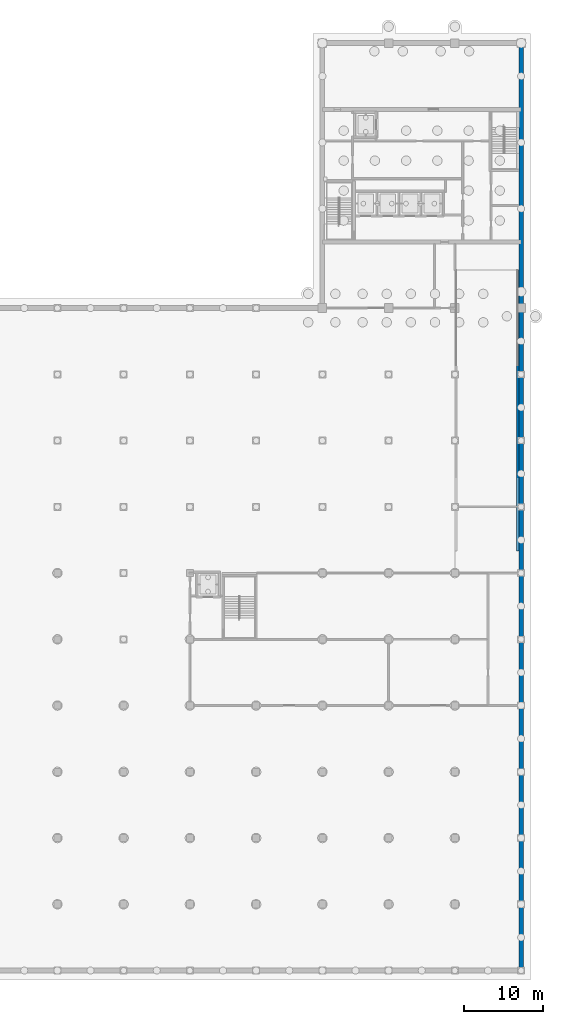
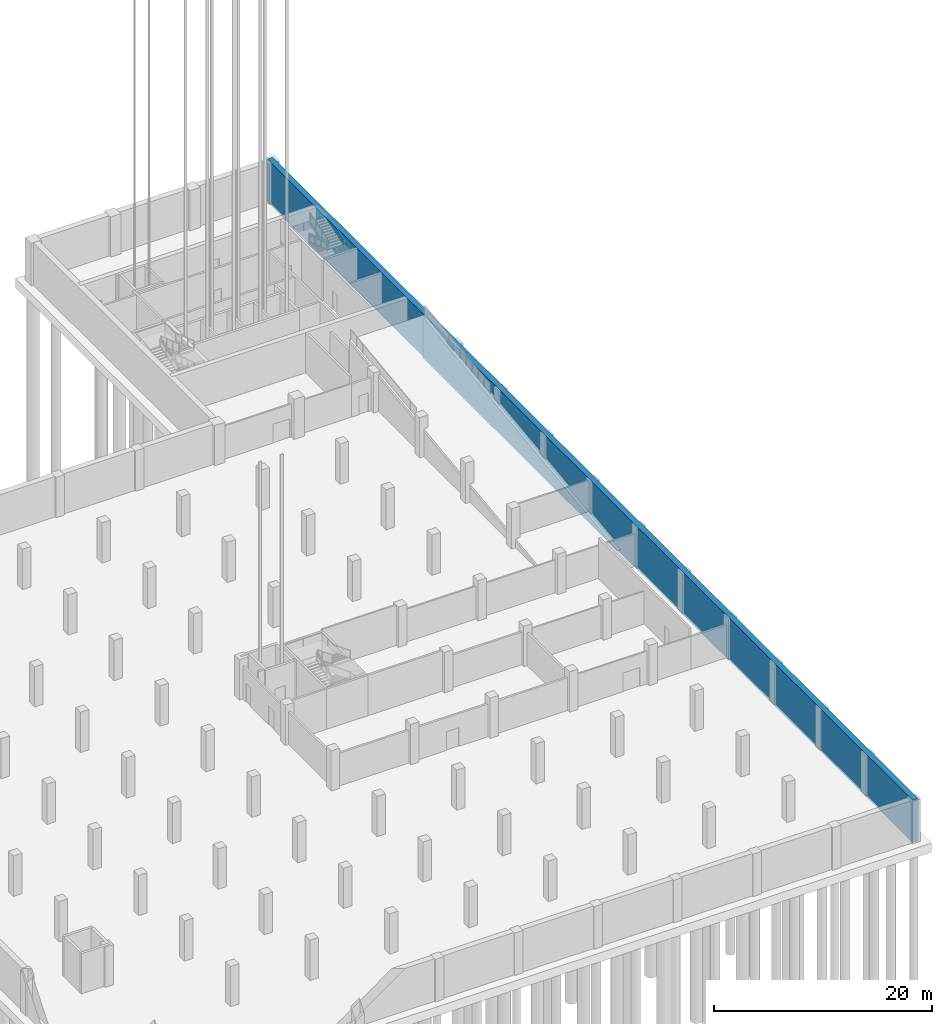
# One storey, part 9 of 26: 2 walls.
"""IFC4 building model written with IfcOpenShell, lengths in metres."""

from ifc_helpers import new_model, si_unit, direction, frame, frame_2d, origin, place, context, subcontext, project, spatial, polyline, rectangle, outline, extrude, material, layer, layer_set, type_object, element, save


model = new_model("IFC4")

# Units and contexts
model_context = context("Model", 3, precision=1e-05, world=origin(), true_north=direction((0.0, 1.0)))
body_context = subcontext(model_context, "Body", "Model", "MODEL_VIEW")
ifc_project = project(units=[si_unit("LENGTHUNIT", "METRE"), si_unit("AREAUNIT", "SQUARE_METRE"), si_unit("VOLUMEUNIT", "CUBIC_METRE"), si_unit("PLANEANGLEUNIT", "RADIAN"), si_unit("MASSUNIT", "GRAM", prefix="KILO")], contexts=[model_context])

# Site, building, storey
site_placement = place(None, origin())
site = spatial("IfcSite", under=ifc_project, at=site_placement, CompositionType="ELEMENT")
building_placement = place(site_placement, origin())
building = spatial("IfcBuilding", under=site, at=building_placement, Name="Rulbaag Community and Learning Centre", CompositionType="ELEMENT")
storey_placement = place(building_placement, frame((0.0, 0.0, -9.60009765625)))
storey = spatial("IfcBuildingStorey", under=building, at=storey_placement, Name="B2", CompositionType="ELEMENT", Elevation=-9.60009765625)

# Walls
ifc_material_1 = material(Name="Concrete M35", Category="concrete")
ifc_layer_1 = layer(ifc_material_1, 0.300048828125)
ifc_layer_set_1 = layer_set([ifc_layer_1], Name="W11 Ramp side wall 300 Concrete M35")
wall_type_1 = type_object("IfcWallType", Name="W11 Ramp side wall 300 Concrete M35", PredefinedType="SOLIDWALL", material=ifc_layer_set_1)
wall_1_placement = place(storey_placement, frame((167.550048828125, 53.21875, 0.0), z_axis=(0.0, 0.0, 1.0), x_axis=(0.0, 1.0, 0.0)))
element("IfcWall", 1, at=wall_1_placement, inside=storey, type_object=wall_type_1, Name="WL-R2-E", PredefinedType="SOLIDWALL", context=body_context, shape_type="SweptSolid", body=[
    extrude(outline(polyline([(0.0, 0.0), (35.581298828125, 0.0), (35.581298828125, 4.497802734375), (0.0, 0.050048828125), (0.0, 0.0)])), frame((0.0, 0.14990234375, 0.0), z_axis=(0.0, -1.0, 0.0), x_axis=(1.0, 0.0, 0.0)), (0.0, 0.0, 1.0), 0.300048828125),
])
ifc_material_2 = material(Name="Concrete M40", Category="concrete")
ifc_layer_2 = layer(ifc_material_2, 0.60009765625)
ifc_layer_set_2 = layer_set([ifc_layer_2], Name="W9 Retaining wall 600 Concrete M40")
wall_type_2 = type_object("IfcWallType", Name="W9 Retaining wall 600 Concrete M40", PredefinedType="SOLIDWALL", material=ifc_layer_set_2)
wall_2_placement = place(storey_placement, frame((168.0, -0.300048828125, -0.25), z_axis=(0.0, 0.0, 1.0), x_axis=(0.0, 1.0, 0.0)))
element("IfcWall", 2, at=wall_2_placement, inside=storey, type_object=wall_type_2, Name="WL-RET-2-B2", PredefinedType="SOLIDWALL", context=body_context, shape_type="SweptSolid", body=[
    extrude(rectangle(XDim=118.199951171875, YDim=0.60009765625, at=frame_2d((59.10009765625, 0.0))), origin(), (0.0, 0.0, 1.0), 4.75),
])

save(model, "model.ifc")
